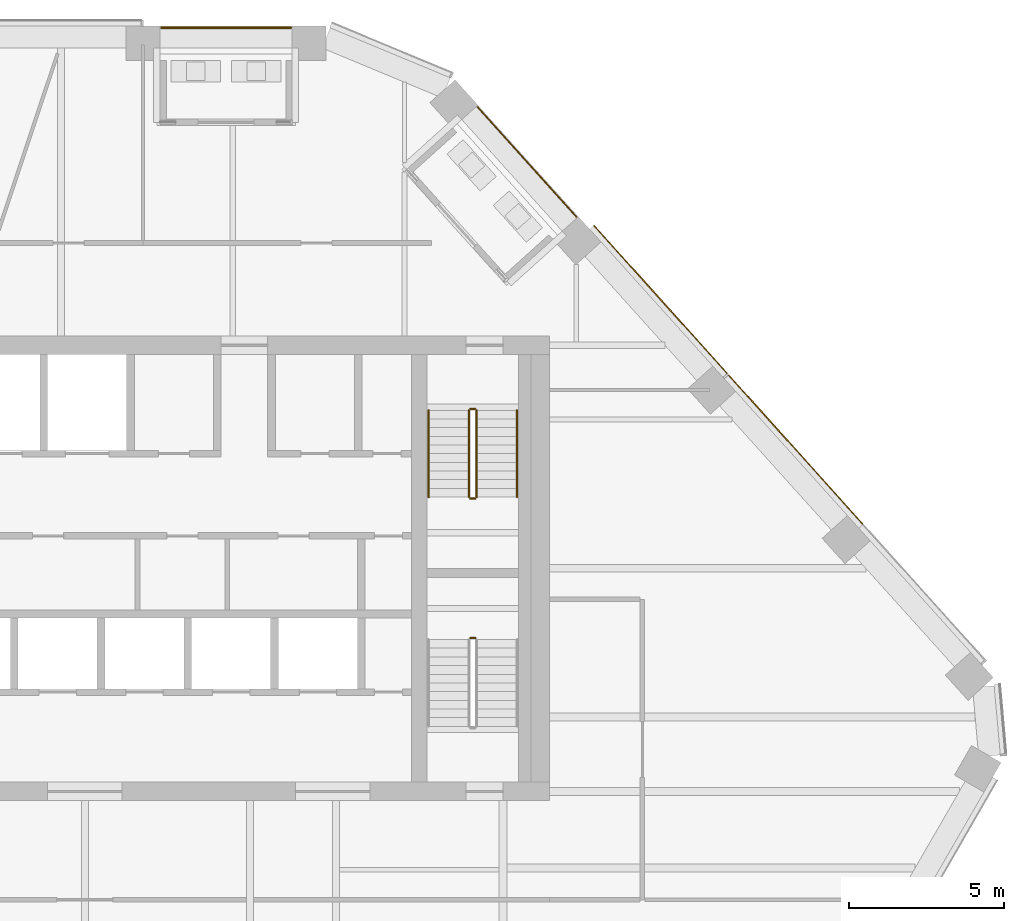
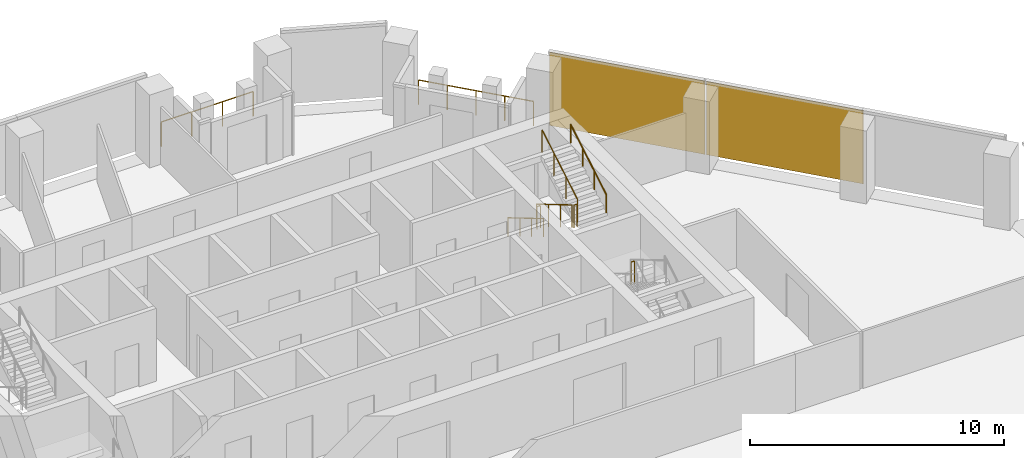
# One storey, part 23 of 24: 9 railings, 2 coverings, 1 element without a shape of its own.
"""IFC4 building model written with IfcOpenShell, lengths in metres."""

from ifc_helpers import new_model, si_unit, direction, frame, origin, origin_2d, place, context, subcontext, project, spatial, rectangle, circle, extrude, material, layer, layer_set, type_object, element, aggregate, save


model = new_model("IFC4")

# Units and contexts
model_context = context("Model", 3, precision=1e-05, world=origin(), true_north=direction((0.0, 1.0)))
body_context = subcontext(model_context, "Body", "Model", "MODEL_VIEW")
ifc_project = project(units=[si_unit("LENGTHUNIT", "METRE"), si_unit("AREAUNIT", "SQUARE_METRE"), si_unit("VOLUMEUNIT", "CUBIC_METRE"), si_unit("PLANEANGLEUNIT", "RADIAN"), si_unit("MASSUNIT", "GRAM", prefix="KILO")], contexts=[model_context])

# Site, building, storey
site_placement = place(None, origin())
site = spatial("IfcSite", under=ifc_project, at=site_placement, CompositionType="ELEMENT")
building_placement = place(site_placement, origin())
building = spatial("IfcBuilding", under=site, at=building_placement, Name="Isthmus Gate Tower", CompositionType="ELEMENT")
storey_placement = place(building_placement, frame((0.0, 0.0, 219.949951171875)))
storey = spatial("IfcBuildingStorey", under=building, at=storey_placement, Name="L55", CompositionType="ELEMENT", Elevation=219.949951171875)

# Curtain wall, coverings
ifc_material_1 = material(Name="Aluminium, pale champagne anodised", Category="aluminium")
ifc_layer_1 = layer(ifc_material_1, 0.199951171875)
ifc_layer_set_1 = layer_set([ifc_layer_1], Name="CW-1 UNITISED CURTAIN WALL 200 DEEP")
curtain_wall_type = type_object("IfcCurtainWallType", Name="CW-1 UNITISED CURTAIN WALL 200 DEEP", PredefinedType="NOTDEFINED", material=ifc_layer_set_1)
curtain_wall_placement = place(storey_placement, origin())
curtain_wall = element("IfcCurtainWall", 1, at=curtain_wall_placement, inside=storey, type_object=curtain_wall_type, Name="CW-1 NE L55", PredefinedType="NOTDEFINED")
ifc_material_2 = material(Name="Aluminium composite panel, pale champagne anodised", Category="aluminium")
ifc_layer_2 = layer(ifc_material_2, 0.031982421875)
ifc_layer_set_2 = layer_set([ifc_layer_2], Name="CW-1 PALE METAL PANEL 32")
covering_type = type_object("IfcCoveringType", Name="CW-1 PALE METAL PANEL 32", PredefinedType="CLADDING", material=ifc_layer_set_2)
covering_1_placement = place(storey_placement, frame((22.950927734375, 11.330810546875, 0.0), z_axis=(0.0, 0.0, 1.0), x_axis=(-0.669130606359, 0.743144825477, 0.0)))
covering_1 = element("IfcCovering", 2, at=covering_1_placement, type_object=covering_type, Name="CW-1 pale metal panel", PredefinedType="CLADDING", context=body_context, shape_type="SweptSolid", body=[
    extrude(rectangle(XDim=6.491943359375, YDim=0.031982421875, at=origin_2d()), origin(), (0.0, 0.0, 1.0), 3.52001953125),
])
covering_2_placement = place(storey_placement, frame((18.5869140625, 16.177734375, 0.0), z_axis=(0.0, 0.0, 1.0), x_axis=(-0.669130606359, 0.743144825477, 0.0)))
covering_2 = element("IfcCovering", 3, at=covering_2_placement, type_object=covering_type, Name="CW-1 pale metal panel", PredefinedType="CLADDING", context=body_context, shape_type="SweptSolid", body=[
    extrude(rectangle(XDim=6.431884765625, YDim=0.031982421875, at=origin_2d()), origin(), (0.0, 0.0, 1.0), 3.52001953125),
])
aggregate(curtain_wall, [covering_1, covering_2])

# Railings
ifc_material_3 = material(Name="Toughened laminated glass with stainless steel posts", Category="steel")
railing_type_1 = type_object("IfcRailingType", Name="GUARD 1200 FRAMELESS GLASS", PredefinedType="GUARDRAIL", material=ifc_material_3)
railing_1_placement = place(storey_placement, frame((6.651123046875, 24.949951171875, 0.0)))
element("IfcRailing", 4, at=railing_1_placement, inside=storey, type_object=railing_type_1, Name="LOGGIA GUARD", PredefinedType="GUARDRAIL", context=body_context, shape_type="SweptSolid", body=[
    extrude(circle(Radius=0.02490234375, at=origin_2d()), frame((0.0, 0.0, 1.1748046875), z_axis=(-1.0, 0.0, 0.0), x_axis=(0.0, -1.0, 0.0)), (0.0, 0.0, 1.0), 4.1806640625),
    extrude(circle(Radius=0.02490234375, at=origin_2d()), origin(), (0.0, 0.0, 1.0), 1.14990234375),
    extrude(circle(Radius=0.02490234375, at=origin_2d()), frame((-1.3935546875, 0.0, 0.0)), (0.0, 0.0, 1.0), 1.14990234375),
    extrude(circle(Radius=0.02490234375, at=origin_2d()), frame((-2.787109375, 0.0, 0.0)), (0.0, 0.0, 1.0), 1.14990234375),
    extrude(circle(Radius=0.02490234375, at=origin_2d()), frame((-4.1806640625, 0.0, 0.0)), (0.0, 0.0, 1.0), 1.14990234375),
])
railing_2_placement = place(storey_placement, frame((15.8662109375, 18.849365234375, 0.0)))
element("IfcRailing", 5, at=railing_2_placement, inside=storey, type_object=railing_type_1, Name="LOGGIA GUARD", PredefinedType="GUARDRAIL", context=body_context, shape_type="SweptSolid", body=[
    extrude(circle(Radius=0.02490234375, at=origin_2d()), frame((0.0, 0.0, 1.1748046875), z_axis=(-0.669120508754, 0.743153917277, 0.0), x_axis=(-0.743153917277, -0.669120508754, 0.0)), (0.0, 0.0, 1.0), 4.761962890625),
    extrude(circle(Radius=0.02490234375, at=origin_2d()), origin(), (0.0, 0.0, 1.0), 1.14990234375),
    extrude(circle(Radius=0.02490234375, at=origin_2d()), frame((-0.796630859375, 0.884765625, 0.0)), (0.0, 0.0, 1.0), 1.14990234375),
    extrude(circle(Radius=0.02490234375, at=origin_2d()), frame((-1.59326171875, 1.76953125, 0.0)), (0.0, 0.0, 1.0), 1.14990234375),
    extrude(circle(Radius=0.02490234375, at=origin_2d()), frame((-2.3896484375, 2.654052734375, 0.0)), (0.0, 0.0, 1.0), 1.14990234375),
    extrude(circle(Radius=0.02490234375, at=origin_2d()), frame((-3.186279296875, 3.538818359375, 0.0)), (0.0, 0.0, 1.0), 1.14990234375),
])
ifc_material_4 = material(Name="Stainless steel balustrade", Category="steel")
railing_type_2 = type_object("IfcRailingType", Name="STAIR GUARD 1100", PredefinedType="GUARDRAIL", material=ifc_material_4)
railing_3_placement = place(storey_placement, frame((12.39990234375, 12.60009765625, 0.166015625)))
element("IfcRailing", 6, at=railing_3_placement, inside=storey, type_object=railing_type_2, Name="L55 ST2 stair guard 1", PredefinedType="GUARDRAIL", context=body_context, shape_type="SweptSolid", body=[
    extrude(circle(Radius=0.02392578125, at=origin_2d()), frame((0.0, 0.0, 1.076171875), z_axis=(0.0, -0.860339051648, 0.50972219513), x_axis=(1.0, 0.0, 0.0)), (0.0, 0.0, 1.0), 3.254638671875),
    extrude(circle(Radius=0.02099609375, at=origin_2d()), origin(), (0.0, 0.0, 1.0), 1.052001953125),
    extrude(circle(Radius=0.02099609375, at=origin_2d()), frame((0.0, -0.933349609375, 0.552978515625)), (0.0, 0.0, 1.0), 1.052001953125),
    extrude(circle(Radius=0.02099609375, at=origin_2d()), frame((0.0, -1.86669921875, 1.10595703125)), (0.0, 0.0, 1.0), 1.052001953125),
    extrude(circle(Radius=0.02099609375, at=origin_2d()), frame((0.0, -2.800048828125, 1.658935546875)), (0.0, 0.0, 1.0), 1.052001953125),
])
railing_4_placement = place(storey_placement, frame((12.449951171875, 9.75, 1.824951171875)))
element("IfcRailing", 7, at=railing_4_placement, inside=storey, type_object=railing_type_2, Name="L55 ST2 stair guard 2", PredefinedType="GUARDRAIL", context=body_context, shape_type="SweptSolid", body=[
    extrude(circle(Radius=0.02392578125, at=origin_2d()), frame((0.0, 0.0, 1.076171875), z_axis=(1.0, 0.0, 0.0), x_axis=(0.0, 1.0, 0.0)), (0.0, 0.0, 1.0), 0.150146484375),
    extrude(circle(Radius=0.02099609375, at=origin_2d()), origin(), (0.0, 0.0, 1.0), 1.052001953125),
    extrude(circle(Radius=0.02099609375, at=origin_2d()), frame((0.150146484375, 0.0, 0.0)), (0.0, 0.0, 1.0), 1.052001953125),
])
railing_5_placement = place(storey_placement, frame((12.64990234375, 9.800048828125, 1.990966796875)))
element("IfcRailing", 8, at=railing_5_placement, inside=storey, type_object=railing_type_2, Name="L55 ST2 stair guard 3", PredefinedType="GUARDRAIL", context=body_context, shape_type="SweptSolid", body=[
    extrude(circle(Radius=0.02392578125, at=origin_2d()), frame((0.0, 0.0, 1.076171875), z_axis=(0.0, 0.860306154799, 0.50977771628), x_axis=(-1.0, 0.0, 0.0)), (0.0, 0.0, 1.0), 3.254638671875),
    extrude(circle(Radius=0.02099609375, at=origin_2d()), origin(), (0.0, 0.0, 1.0), 1.052001953125),
    extrude(circle(Radius=0.02099609375, at=origin_2d()), frame((0.0, 0.933349609375, 0.552978515625)), (0.0, 0.0, 1.0), 1.052001953125),
    extrude(circle(Radius=0.02099609375, at=origin_2d()), frame((0.0, 1.86669921875, 1.106201171875)), (0.0, 0.0, 1.0), 1.052001953125),
    extrude(circle(Radius=0.02099609375, at=origin_2d()), frame((0.0, 2.800048828125, 1.6591796875)), (0.0, 0.0, 1.0), 1.052001953125),
])
railing_6_placement = place(storey_placement, frame((12.449951171875, 12.64990234375, 0.0)))
element("IfcRailing", 9, at=railing_6_placement, inside=storey, type_object=railing_type_2, Name="L55 ST2 stair guard 4", PredefinedType="GUARDRAIL", context=body_context, shape_type="SweptSolid", body=[
    extrude(circle(Radius=0.02392578125, at=origin_2d()), frame((0.0, 0.0, 1.076171875), z_axis=(1.0, 0.0, 0.0), x_axis=(0.0, 1.0, 0.0)), (0.0, 0.0, 1.0), 0.150146484375),
    extrude(circle(Radius=0.02099609375, at=origin_2d()), origin(), (0.0, 0.0, 1.0), 1.052001953125),
    extrude(circle(Radius=0.02099609375, at=origin_2d()), frame((0.150146484375, 0.0, 0.0)), (0.0, 0.0, 1.0), 1.052001953125),
])
railing_7_placement = place(storey_placement, frame((12.60009765625, 5.25, 1.824951171875)))
element("IfcRailing", 10, at=railing_7_placement, inside=storey, type_object=railing_type_2, Name="L55 ST8 stair guard 2", PredefinedType="GUARDRAIL", context=body_context, shape_type="SweptSolid", body=[
    extrude(circle(Radius=0.02392578125, at=origin_2d()), frame((0.0, 0.0, 1.076171875), z_axis=(-1.0, 0.0, 0.0), x_axis=(0.0, -1.0, 0.0)), (0.0, 0.0, 1.0), 0.150146484375),
    extrude(circle(Radius=0.02099609375, at=origin_2d()), origin(), (0.0, 0.0, 1.0), 1.052001953125),
    extrude(circle(Radius=0.02099609375, at=origin_2d()), frame((-0.150146484375, 0.0, 0.0)), (0.0, 0.0, 1.0), 1.052001953125),
])
ifc_material_5 = material(Name="Stainless steel handrail", Category="steel")
railing_type_3 = type_object("IfcRailingType", Name="STAIR HANDRAIL 900", PredefinedType="HANDRAIL", material=ifc_material_5)
railing_8_placement = place(storey_placement, frame((11.10009765625, 12.60009765625, 0.166015625)))
element("IfcRailing", 11, at=railing_8_placement, inside=storey, type_object=railing_type_3, Name="L55 ST2 stair handrail 1", PredefinedType="HANDRAIL", context=body_context, shape_type="SweptSolid", body=[
    extrude(circle(Radius=0.02392578125, at=origin_2d()), frame((0.0, 0.0, 0.8759765625), z_axis=(0.0, -0.860339051648, 0.50972219513), x_axis=(1.0, 0.0, 0.0)), (0.0, 0.0, 1.0), 3.254638671875),
    extrude(circle(Radius=0.02099609375, at=origin_2d()), origin(), (0.0, 0.0, 1.0), 0.851806640625),
    extrude(circle(Radius=0.02099609375, at=origin_2d()), frame((0.0, -0.933349609375, 0.552978515625)), (0.0, 0.0, 1.0), 0.851806640625),
    extrude(circle(Radius=0.02099609375, at=origin_2d()), frame((0.0, -1.86669921875, 1.10595703125)), (0.0, 0.0, 1.0), 0.851806640625),
    extrude(circle(Radius=0.02099609375, at=origin_2d()), frame((0.0, -2.800048828125, 1.658935546875)), (0.0, 0.0, 1.0), 0.851806640625),
])
railing_9_placement = place(storey_placement, frame((13.949951171875, 9.800048828125, 1.990966796875)))
element("IfcRailing", 12, at=railing_9_placement, inside=storey, type_object=railing_type_3, Name="L55 ST2 stair handrail 2", PredefinedType="HANDRAIL", context=body_context, shape_type="SweptSolid", body=[
    extrude(circle(Radius=0.02392578125, at=origin_2d()), frame((0.0, 0.0, 0.8759765625), z_axis=(0.0, 0.860306154799, 0.50977771628), x_axis=(-1.0, 0.0, 0.0)), (0.0, 0.0, 1.0), 3.254638671875),
    extrude(circle(Radius=0.02099609375, at=origin_2d()), origin(), (0.0, 0.0, 1.0), 0.851806640625),
    extrude(circle(Radius=0.02099609375, at=origin_2d()), frame((0.0, 0.933349609375, 0.552978515625)), (0.0, 0.0, 1.0), 0.851806640625),
    extrude(circle(Radius=0.02099609375, at=origin_2d()), frame((0.0, 1.86669921875, 1.106201171875)), (0.0, 0.0, 1.0), 0.851806640625),
    extrude(circle(Radius=0.02099609375, at=origin_2d()), frame((0.0, 2.800048828125, 1.6591796875)), (0.0, 0.0, 1.0), 0.851806640625),
])

save(model, "model.ifc")
